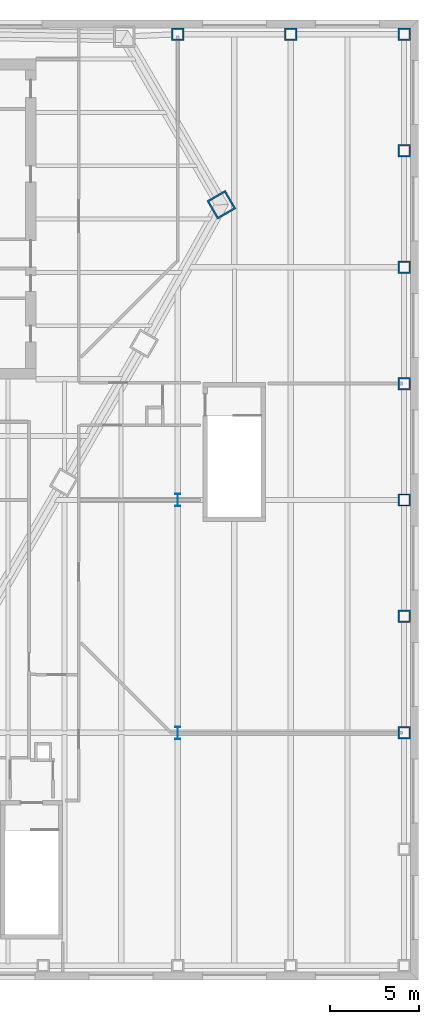
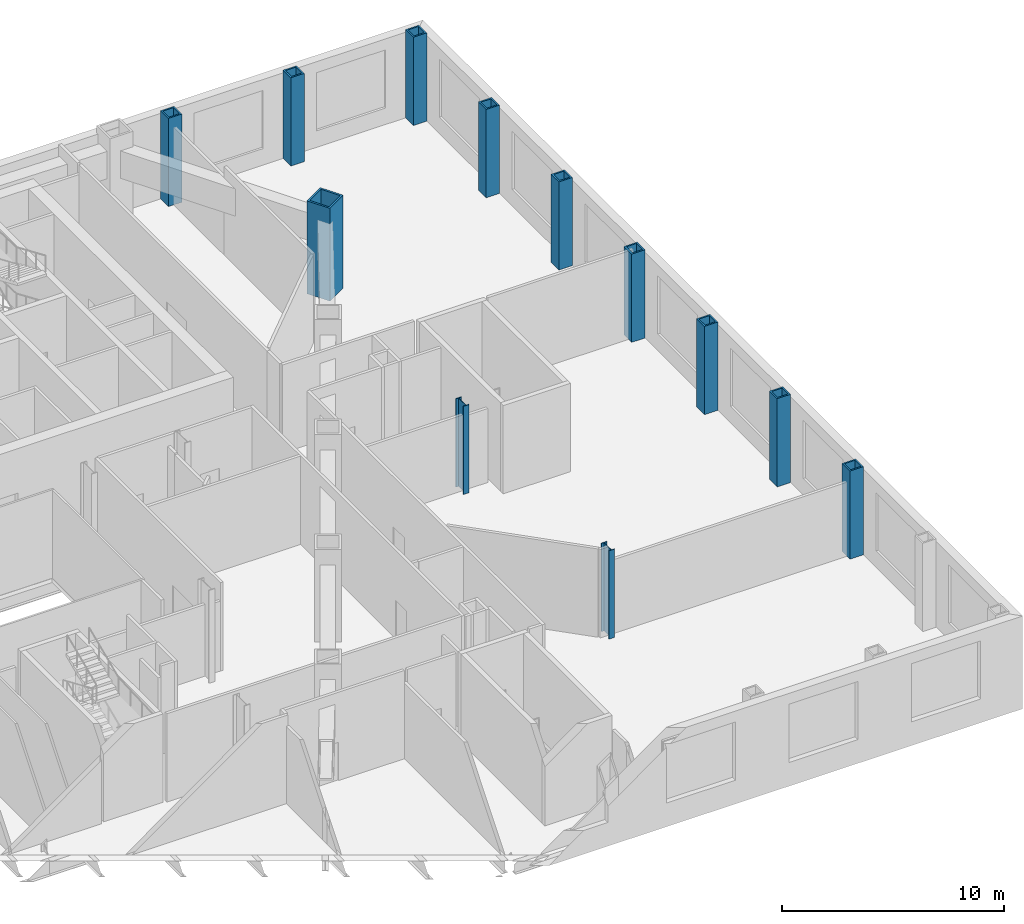
# One storey, part 3 of 17: 12 columns.
"""IFC4 building model written with IfcOpenShell, lengths in metres."""

from ifc_helpers import new_model, si_unit, direction, frame, origin, origin_2d, place, context, subcontext, project, spatial, hollow_rectangle, i_section, extrude, material, material_profile, profile_set, type_object, element, save


model = new_model("IFC4")

# Units and contexts
model_context = context("Model", 3, precision=1e-05, world=origin(), true_north=direction((0.0, 1.0)))
body_context = subcontext(model_context, "Body", "Model", "MODEL_VIEW")
ifc_project = project(units=[si_unit("LENGTHUNIT", "METRE"), si_unit("AREAUNIT", "SQUARE_METRE"), si_unit("VOLUMEUNIT", "CUBIC_METRE"), si_unit("PLANEANGLEUNIT", "RADIAN"), si_unit("MASSUNIT", "GRAM", prefix="KILO")], contexts=[model_context])

# Site, building, storey
site_placement = place(None, origin())
site = spatial("IfcSite", under=ifc_project, at=site_placement, CompositionType="ELEMENT")
building_placement = place(site_placement, origin())
building = spatial("IfcBuilding", under=site, at=building_placement, Name="Njiva Tower", CompositionType="ELEMENT")
storey_placement = place(building_placement, frame((0.0, 0.0, 23.7)))
storey = spatial("IfcBuildingStorey", under=building, at=storey_placement, Name="L04", CompositionType="ELEMENT", Elevation=23.7)

# Columns
ifc_material = material(Name="Steel S355 J2", Category="steel")
ifc_material_profile_1 = material_profile(ifc_material, hollow_rectangle(XDim=1.2, YDim=1.2, WallThickness=0.1, at=origin_2d()), Name="BOX 1200x1200x100")
ifc_profile_set_1 = profile_set([ifc_material_profile_1], Name="Steel S355 J2")
column_type_1 = type_object("IfcColumnType", Name="C1 Mega-column BOX 1200x1200x100", PredefinedType="COLUMN", material=ifc_profile_set_1)
column_placement = place(storey_placement, frame((27.923, 9.808, 0.0), z_axis=(0.0, 0.0, 1.0), x_axis=(-0.5, 0.866025403784, 0.0)))
element("IfcColumn", 1, at=column_placement, inside=storey, type_object=column_type_1, Name="Mega-column L04-C18", PredefinedType="COLUMN", context=body_context, shape_type="SweptSolid", body=[
    extrude(hollow_rectangle(XDim=1.2, YDim=1.2, WallThickness=0.1, at=origin_2d()), origin(), (0.0, 0.0, 1.0), 5.1),
])
ifc_material_profile_2 = material_profile(ifc_material, hollow_rectangle(XDim=0.7, YDim=0.7, WallThickness=0.08, at=origin_2d()), Name="BOX 700x700x80")
ifc_profile_set_2 = profile_set([ifc_material_profile_2], Name="Steel S355 J2")
column_type_2 = type_object("IfcColumnType", Name="C3 Podium perimeter column BOX 700x700x80", PredefinedType="COLUMN", material=ifc_profile_set_2)
for number, where, z_axis, x_axis, name in (
    (2, (38.2, -19.9, 0.0), (0.0, 0.0, 1.0), (0.0, 1.0, 0.0), "Podium perimeter column L04-C29"),
    (3, (38.2, -13.35, 0.0), (0.0, 0.0, 1.0), (0.0, 1.0, 0.0), "Podium perimeter column L04-C30"),
    (4, (38.2, -6.8, 0.0), (0.0, 0.0, 1.0), (0.0, 1.0, 0.0), "Podium perimeter column L04-C31"),
    (5, (38.2, -0.25, 0.0), (0.0, 0.0, 1.0), (0.0, 1.0, 0.0), "Podium perimeter column L04-C32"),
    (6, (38.2, 6.3, 0.0), (0.0, 0.0, 1.0), (0.0, 1.0, 0.0), "Podium perimeter column L04-C33"),
    (7, (38.2, 12.85, 0.0), (0.0, 0.0, 1.0), (0.0, 1.0, 0.0), "Podium perimeter column L04-C34"),
    (8, (38.2, 19.4, 0.0), (0.0, 0.0, 1.0), (-1.0, 0.0, 0.0), "Podium perimeter column L04-C35"),
    (9, (31.833, 19.4, 0.0), (0.0, 0.0, 1.0), (-1.0, 0.0, 0.0), "Podium perimeter column L04-C36"),
    (10, (25.467, 19.4, 0.0), (0.0, 0.0, 1.0), (-1.0, 0.0, 0.0), "Podium perimeter column L04-C37"),
):
    element("IfcColumn", number, at=place(storey_placement, frame(where, z_axis=z_axis, x_axis=x_axis)), inside=storey, type_object=column_type_2, Name=name, PredefinedType="COLUMN", context=body_context, shape_type="SweptSolid", body=[
        extrude(hollow_rectangle(XDim=0.7, YDim=0.7, WallThickness=0.08, at=origin_2d()), origin(), (0.0, 0.0, 1.0), 4.85),
    ])
ifc_material_profile_3 = material_profile(ifc_material, i_section(OverallWidth=0.304, OverallDepth=0.716, WebThickness=0.021, FlangeThickness=0.04, at=origin_2d()), Name="HEM 700")
ifc_profile_set_3 = profile_set([ifc_material_profile_3], Name="Steel S355 J2")
column_type_3 = type_object("IfcColumnType", Name="C4 Station column HEM 700", PredefinedType="COLUMN", material=ifc_profile_set_3)
for number, where, z_axis, x_axis, name in (
    (11, (25.467, -6.8, 0.0), (0.0, 0.0, 1.0), (1.0, 0.0, 0.0), "Station column L04-C64"),
    (12, (25.467, -19.9, 0.0), (0.0, 0.0, 1.0), (1.0, 0.0, 0.0), "Station column L04-C65"),
):
    element("IfcColumn", number, at=place(storey_placement, frame(where, z_axis=z_axis, x_axis=x_axis)), inside=storey, type_object=column_type_3, Name=name, PredefinedType="COLUMN", context=body_context, shape_type="SweptSolid", body=[
        extrude(i_section(OverallWidth=0.304, OverallDepth=0.716, WebThickness=0.021, FlangeThickness=0.04, at=origin_2d()), origin(), (0.0, 0.0, 1.0), 4.85),
    ])

save(model, "model.ifc")
